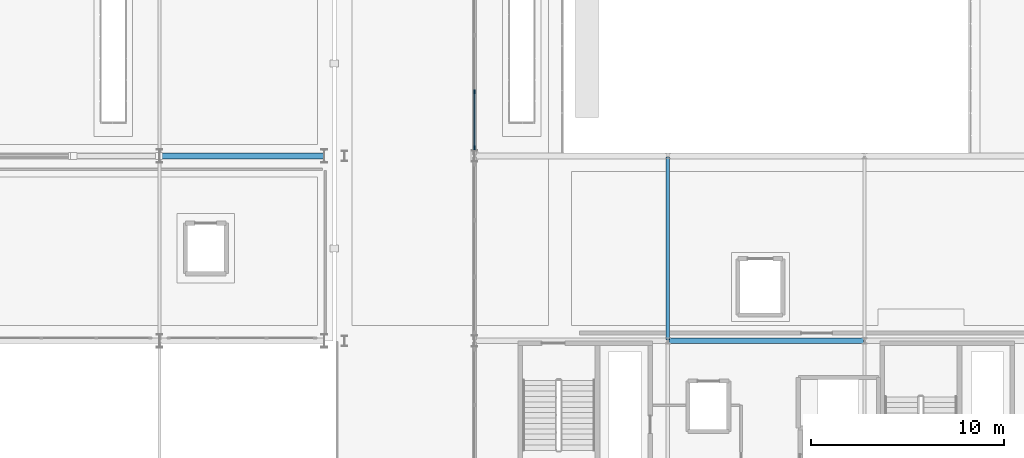
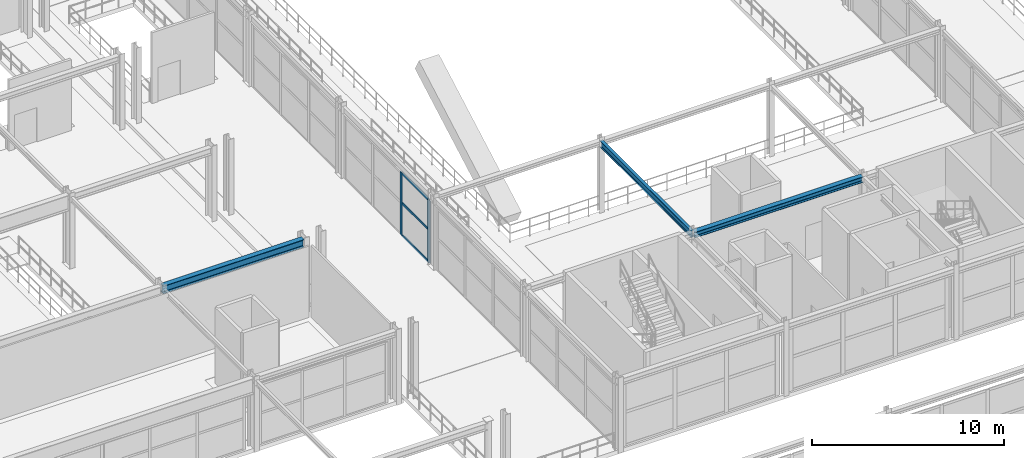
# One storey, part 37 of 125: 5 members, 3 beams, 1 element without a shape of its own.
"""IFC4 building model written with IfcOpenShell, lengths in metres."""

from ifc_helpers import new_model, si_unit, direction, frame, origin, origin_2d, place, context, subcontext, project, spatial, rectangle, i_section, extrude, material, layer, layer_set, material_profile, profile_set, type_object, element, aggregate, save


model = new_model("IFC4")

# Units and contexts
model_context = context("Model", 3, precision=1e-05, world=origin(), true_north=direction((0.0, 1.0)))
body_context = subcontext(model_context, "Body", "Model", "MODEL_VIEW")
ifc_project = project(units=[si_unit("LENGTHUNIT", "METRE"), si_unit("AREAUNIT", "SQUARE_METRE"), si_unit("VOLUMEUNIT", "CUBIC_METRE"), si_unit("PLANEANGLEUNIT", "RADIAN"), si_unit("MASSUNIT", "GRAM", prefix="KILO")], contexts=[model_context])

# Site, building, storey
site_placement = place(None, origin())
site = spatial("IfcSite", under=ifc_project, at=site_placement, CompositionType="ELEMENT")
building_placement = place(site_placement, origin())
building = spatial("IfcBuilding", under=site, at=building_placement, Name="Myrtia Square Station", CompositionType="ELEMENT")
storey_placement = place(building_placement, frame((0.0, 0.0, 6.0)))
storey = spatial("IfcBuildingStorey", under=building, at=storey_placement, Name="L01", CompositionType="ELEMENT", Elevation=6.0)

# Beams
ifc_material_1 = material(Name="Steel S355", Category="steel")
ifc_material_profile_1 = material_profile(ifc_material_1, i_section(OverallWidth=0.300048828125, OverallDepth=0.360107421875, WebThickness=0.012451171875, FlangeThickness=0.0224609375, FilletRadius=0.027099609375, at=origin_2d()), Name="HEB 360")
ifc_profile_set_1 = profile_set([ifc_material_profile_1], Name="Steel S355")
beam_type_1 = type_object("IfcBeamType", Name="BM-HEB360", PredefinedType="BEAM", material=ifc_profile_set_1)
beam_1_placement = place(storey_placement, frame((89.449951171875, 38.39990234375, 4.3701171875), z_axis=(1.0, 0.0, 0.0), x_axis=(0.0, 1.0, 0.0)))
element("IfcBeam", 1, at=beam_1_placement, inside=storey, type_object=beam_type_1, Name="Structural girder BMX-L01-0538", PredefinedType="BEAM", context=body_context, shape_type="SweptSolid", body=[
    extrude(i_section(OverallWidth=0.300048828125, OverallDepth=0.360107421875, WebThickness=0.012451171875, FlangeThickness=0.0224609375, FilletRadius=0.027099609375, at=origin_2d()), origin(), (0.0, 0.0, 1.0), 10.10009765625),
])
ifc_material_profile_2 = material_profile(ifc_material_1, i_section(OverallWidth=0.300048828125, OverallDepth=0.5, WebThickness=0.014404296875, FlangeThickness=0.028076171875, FilletRadius=0.027099609375, at=origin_2d()), Name="HEB 500")
ifc_profile_set_2 = profile_set([ifc_material_profile_2], Name="Steel S355")
beam_type_2 = type_object("IfcBeamType", Name="BM-HEB500", PredefinedType="BEAM", material=ifc_profile_set_2)
beam_2_placement = place(storey_placement, frame((63.050048828125, 48.0, 4.304931640625), z_axis=(1.0, 0.0, 0.0), x_axis=(0.0, 1.0, 0.0)))
element("IfcBeam", 2, at=beam_2_placement, inside=storey, type_object=beam_type_2, Name="Structural girder BMX-L01-0469", PredefinedType="BEAM", context=body_context, shape_type="SweptSolid", body=[
    extrude(i_section(OverallWidth=0.300048828125, OverallDepth=0.5, WebThickness=0.014404296875, FlangeThickness=0.028076171875, FilletRadius=0.027099609375, at=origin_2d()), origin(), (0.0, 0.0, 1.0), 8.449951171875),
])
ifc_material_profile_3 = material_profile(ifc_material_1, i_section(OverallWidth=0.179931640625, OverallDepth=0.39990234375, WebThickness=0.008544921875, FlangeThickness=0.013427734375, FilletRadius=0.02099609375, at=origin_2d()), Name="IPE 400")
ifc_profile_set_3 = profile_set([ifc_material_profile_3], Name="Steel S355")
beam_type_3 = type_object("IfcBeamType", Name="BM-IPE400", PredefinedType="BEAM", material=ifc_profile_set_3)
beam_3_placement = place(storey_placement, frame((89.39990234375, 38.449951171875, 4.35009765625), z_axis=(0.0, 1.0, 0.0), x_axis=(-1.0, 0.0, 0.0)))
element("IfcBeam", 3, at=beam_3_placement, inside=storey, type_object=beam_type_3, Name="Structural girder BMY-L01-0560", PredefinedType="BEAM", context=body_context, shape_type="SweptSolid", body=[
    extrude(i_section(OverallWidth=0.179931640625, OverallDepth=0.39990234375, WebThickness=0.008544921875, FlangeThickness=0.013427734375, FilletRadius=0.02099609375, at=origin_2d()), origin(), (0.0, 0.0, 1.0), 9.5),
])

# Curtain wall, members
ifc_material_2 = material(Name="Dark bronze anodised aluminium", Category="aluminium")
ifc_layer = layer(ifc_material_2, 0.159912109375, Name="Dark bronze anodised aluminium")
ifc_layer_set = layer_set([ifc_layer], Name="Dark bronze anodised aluminium")
curtain_wall_type = type_object("IfcCurtainWallType", Name="CW-TYPE-03-880x400", PredefinedType="USERDEFINED", material=ifc_layer_set)
curtain_wall_placement = place(storey_placement, origin())
curtain_wall = element("IfcCurtainWall", 4, at=curtain_wall_placement, inside=storey, type_object=curtain_wall_type, Name="Concourse curtain wall CW-L01-009", ObjectType="CONCOURSE CURTAIN WALL", PredefinedType="USERDEFINED")
ifc_material_profile_4 = material_profile(ifc_material_2, rectangle(XDim=0.06494140625, YDim=0.199951171875, at=origin_2d()), Name="ALU-M 65x200")
ifc_profile_set_4 = profile_set([ifc_material_profile_4], Name="Dark bronze anodised aluminium")
member_type_1 = type_object("IfcMemberType", Name="CWM-65x200", PredefinedType="MULLION", material=ifc_profile_set_4)
member_1_placement = place(storey_placement, frame((79.35009765625, 48.4326171875, 0.0), z_axis=(0.0, 0.0, 1.0), x_axis=(-1.0, 0.0, 0.0)))
member_1 = element("IfcMember", 5, at=member_1_placement, type_object=member_type_1, Name="CW-009 mullion 1", PredefinedType="MULLION", context=body_context, shape_type="SweptSolid", body=[
    extrude(rectangle(XDim=0.06494140625, YDim=0.199951171875, at=origin_2d()), origin(), (0.0, 0.0, 1.0), 4.0),
])
member_2_placement = place(storey_placement, frame((79.35009765625, 51.333251953125, 0.0), z_axis=(0.0, 0.0, 1.0), x_axis=(-1.0, 0.0, 0.0)))
member_2 = element("IfcMember", 6, at=member_2_placement, type_object=member_type_1, Name="CW-009 mullion 2", PredefinedType="MULLION", context=body_context, shape_type="SweptSolid", body=[
    extrude(rectangle(XDim=0.06494140625, YDim=0.199951171875, at=origin_2d()), origin(), (0.0, 0.0, 1.0), 4.0),
])
ifc_material_profile_5 = material_profile(ifc_material_2, rectangle(XDim=0.06494140625, YDim=0.14990234375, at=origin_2d()), Name="ALU-T 65x150")
ifc_profile_set_5 = profile_set([ifc_material_profile_5], Name="Dark bronze anodised aluminium")
member_type_2 = type_object("IfcMemberType", Name="CWT-65x150", PredefinedType="USERDEFINED", material=ifc_profile_set_5)
member_3_placement = place(storey_placement, frame((79.35009765625, 48.465087890625, 0.032470703125), z_axis=(0.0, 1.0, 0.0), x_axis=(-1.0, 0.0, 0.0)))
member_3 = element("IfcMember", 7, at=member_3_placement, type_object=member_type_2, Name="CW-009 transom 1.1", ObjectType="TRANSOM", PredefinedType="USERDEFINED", context=body_context, shape_type="SweptSolid", body=[
    extrude(rectangle(XDim=0.06494140625, YDim=0.14990234375, at=origin_2d()), origin(), (0.0, 0.0, 1.0), 2.835693359375),
])
member_4_placement = place(storey_placement, frame((79.35009765625, 48.465087890625, 2.080078125), z_axis=(0.0, 1.0, 0.0), x_axis=(-1.0, 0.0, 0.0)))
member_4 = element("IfcMember", 8, at=member_4_placement, type_object=member_type_2, Name="CW-009 transom 1.2", ObjectType="TRANSOM", PredefinedType="USERDEFINED", context=body_context, shape_type="SweptSolid", body=[
    extrude(rectangle(XDim=0.06494140625, YDim=0.14990234375, at=origin_2d()), origin(), (0.0, 0.0, 1.0), 2.835693359375),
])
member_5_placement = place(storey_placement, frame((79.35009765625, 48.465087890625, 3.967529296875), z_axis=(0.0, 1.0, 0.0), x_axis=(-1.0, 0.0, 0.0)))
member_5 = element("IfcMember", 9, at=member_5_placement, type_object=member_type_2, Name="CW-009 transom 1.3", ObjectType="TRANSOM", PredefinedType="USERDEFINED", context=body_context, shape_type="SweptSolid", body=[
    extrude(rectangle(XDim=0.06494140625, YDim=0.14990234375, at=origin_2d()), origin(), (0.0, 0.0, 1.0), 2.835693359375),
])
aggregate(curtain_wall, [member_1, member_2, member_3, member_4, member_5])

save(model, "model.ifc")
